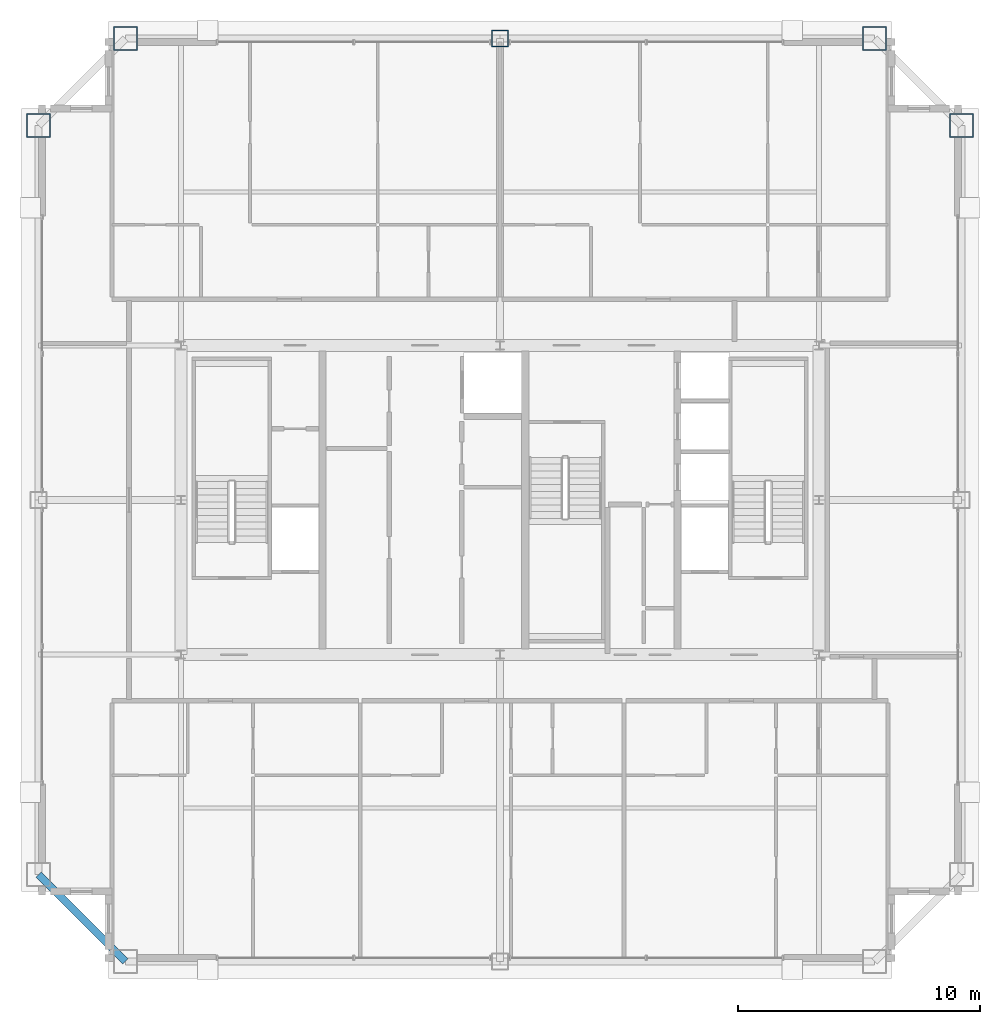
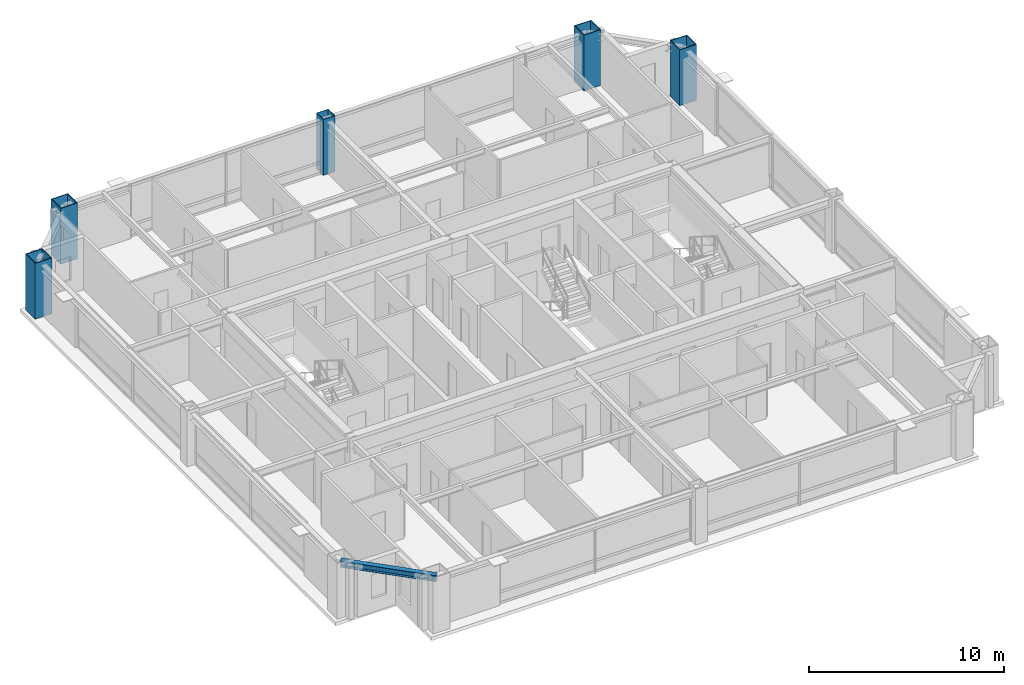
# One storey, part 3 of 35: 5 columns, 1 beam.
"""IFC4 building model written with IfcOpenShell, lengths in metres."""

from ifc_helpers import new_model, si_unit, direction, frame, origin, origin_2d, place, context, subcontext, project, spatial, hollow_rectangle, i_section, extrude, source, transform, mapped, material, material_profile, profile_set, type_object, element, save


model = new_model("IFC4")

# Units and contexts
model_context = context("Model", 3, precision=1e-05, world=origin(), true_north=direction((0.0, 1.0)))
body_context = subcontext(model_context, "Body", "Model", "MODEL_VIEW")
ifc_project = project(units=[si_unit("LENGTHUNIT", "METRE"), si_unit("AREAUNIT", "SQUARE_METRE"), si_unit("VOLUMEUNIT", "CUBIC_METRE"), si_unit("PLANEANGLEUNIT", "RADIAN"), si_unit("MASSUNIT", "GRAM", prefix="KILO"), si_unit("THERMODYNAMICTEMPERATUREUNIT", "KELVIN"), si_unit("POWERUNIT", "WATT")], contexts=[model_context])

# Site, building, storey
site_placement = place(None, origin())
site = spatial("IfcSite", under=ifc_project, at=site_placement, CompositionType="ELEMENT")
building_placement = place(site_placement, origin())
building = spatial("IfcBuilding", under=site, at=building_placement, Name="Yuzanri Waterfront Tower", CompositionType="ELEMENT")
storey_placement = place(building_placement, frame((0.0, 0.0, 311.199951171875)))
storey = spatial("IfcBuildingStorey", under=building, at=storey_placement, Name="L83", CompositionType="ELEMENT", Elevation=311.199951171875)

# Columns
ifc_material_1 = material(Name="Steel Q355B", Category="steel")
ifc_material_profile_1 = material_profile(ifc_material_1, hollow_rectangle(XDim=0.699951171875, YDim=0.699951171875, WallThickness=0.031982421875, at=origin_2d()), Name="RHS 700x700x32")
ifc_profile_set_1 = profile_set([ifc_material_profile_1], Name="Steel Q355B")
column_type_1 = type_object("IfcColumnType", Name="Frame Column Q355B RHS 700x700x32", PredefinedType="COLUMN", material=ifc_profile_set_1)
shared_shape_1 = source(origin(), body_context, "Body", "SweptSolid", [
    extrude(hollow_rectangle(XDim=0.699951171875, YDim=0.699951171875, WallThickness=0.031982421875, at=origin_2d()), origin(), (0.0, 0.0, 1.0), 3.5),
])
column_placement = place(storey_placement, frame((37.0, 44.89990234375, 0.0), z_axis=(0.0, 0.0, 1.0), x_axis=(1.0, 0.0, 0.0)))
element("IfcColumn", 1, at=column_placement, inside=storey, type_object=column_type_1, Name="L83 Perimeter Frame Column N2", PredefinedType="COLUMN", context=body_context, shape_type="MappedRepresentation", body=[
    mapped(shared_shape_1, transform((0.0, 0.0, 0.0), scale=1.0)),
])
ifc_material_2 = material(Name="Steel Q390GJC", Category="steel")
ifc_material_profile_2 = material_profile(ifc_material_2, hollow_rectangle(XDim=1.0, YDim=1.0, WallThickness=0.048095703125, at=origin_2d()), Name="RHS 1000x1000x48")
ifc_profile_set_2 = profile_set([ifc_material_profile_2], Name="Steel Q390GJC")
column_type_2 = type_object("IfcColumnType", Name="Mega Column Q390GJC RHS 1000x1000x48", PredefinedType="COLUMN", material=ifc_profile_set_2)
shared_shape_2 = source(origin(), body_context, "Body", "SweptSolid", [
    extrude(hollow_rectangle(XDim=1.0, YDim=1.0, WallThickness=0.048095703125, at=origin_2d()), origin(), (0.0, 0.0, 1.0), 3.5),
])
for number, where, z_axis, x_axis, name in (
    (2, (21.5, 44.89990234375, 0.0), (0.0, 0.0, 1.0), (1.0, 0.0, 0.0), "L83 Perimeter Mega Column N1"),
    (3, (52.5, 44.89990234375, 0.0), (0.0, 0.0, 1.0), (1.0, 0.0, 0.0), "L83 Perimeter Mega Column N3"),
    (4, (17.89990234375, 41.300048828125, 0.0), (0.0, 0.0, 1.0), (1.0, 0.0, 0.0), "L83 Perimeter Mega Column W3"),
    (5, (56.10009765625, 41.300048828125, 0.0), (0.0, 0.0, 1.0), (1.0, 0.0, 0.0), "L83 Perimeter Mega Column E3"),
):
    element("IfcColumn", number, at=place(storey_placement, frame(where, z_axis=z_axis, x_axis=x_axis)), inside=storey, type_object=column_type_2, Name=name, PredefinedType="COLUMN", context=body_context, shape_type="MappedRepresentation", body=[
        mapped(shared_shape_2, transform((0.0, 0.0, 0.0), scale=1.0)),
    ])

# Beam
ifc_material_3 = material(Name="Steel Q355B", Category="steel")
ifc_material_profile_3 = material_profile(ifc_material_3, i_section(OverallWidth=0.300048828125, OverallDepth=0.389892578125, WebThickness=0.010009765625, FlangeThickness=0.01611328125, at=origin_2d()), Name="HM 390x300x10x16")
ifc_profile_set_3 = profile_set([ifc_material_profile_3], Name="Steel Q355B")
beam_type = type_object("IfcBeamType", Name="Perimeter Spandrel Q355B HM 390x300", PredefinedType="SPANDREL", material=ifc_profile_set_3)
shared_shape_3 = source(origin(), body_context, "Body", "SweptSolid", [
    extrude(i_section(OverallWidth=0.300048828125, OverallDepth=0.389892578125, WebThickness=0.010009765625, FlangeThickness=0.01611328125, at=origin_2d()), origin(), (0.0, 0.0, 1.0), 5.09130859375),
])
beam_placement = place(storey_placement, frame((17.89990234375, 10.300048828125, 3.0849609375), z_axis=(0.707106781187, -0.707106781187, 0.0), x_axis=(0.707106781187, 0.707106781187, 0.0)))
element("IfcBeam", 6, at=beam_placement, inside=storey, type_object=beam_type, Name="L83 Perimeter Spandrel W1-S1", PredefinedType="SPANDREL", context=body_context, shape_type="MappedRepresentation", body=[
    mapped(shared_shape_3, transform((0.0, 0.0, 0.0), scale=1.0)),
])

save(model, "model.ifc")
